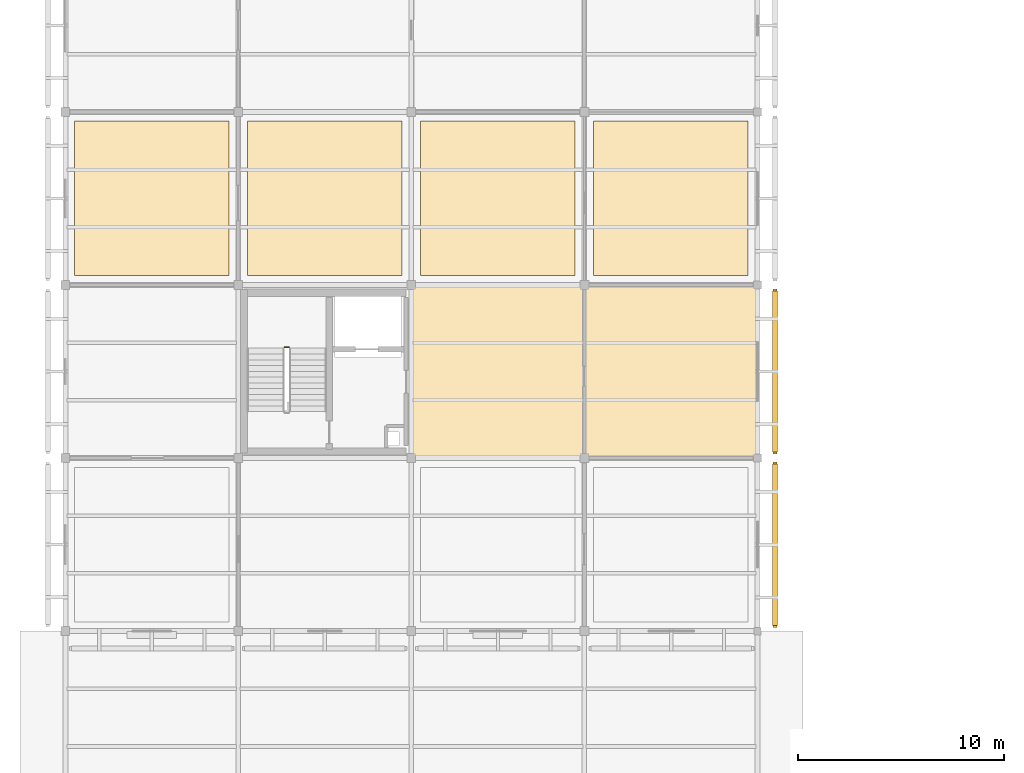
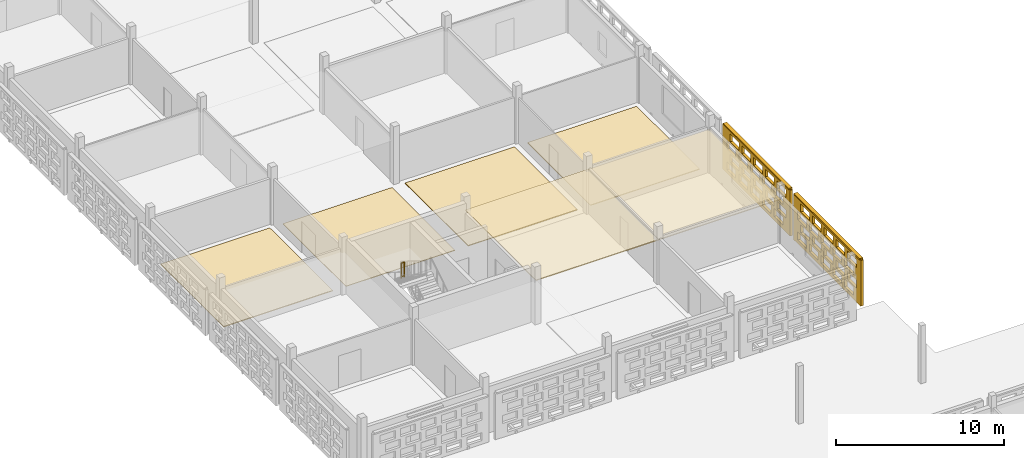
# One storey, part 88 of 103: 8 coverings, 2 shading devices, 1 railing, 40 openings.
"""IFC4 building model written with IfcOpenShell, lengths in metres."""

from ifc_helpers import new_model, si_unit, direction, frame, frame_2d, origin, origin_2d, place, context, subcontext, project, spatial, rectangle, circle, extrude, material, layer, layer_set, type_object, element, save


model = new_model("IFC4")

# Units and contexts
model_context = context("Model", 3, precision=1e-05, world=origin(), true_north=direction((0.0, 1.0)))
body_context = subcontext(model_context, "Body", "Model", "MODEL_VIEW")
ifc_project = project(units=[si_unit("LENGTHUNIT", "METRE"), si_unit("AREAUNIT", "SQUARE_METRE"), si_unit("VOLUMEUNIT", "CUBIC_METRE"), si_unit("PLANEANGLEUNIT", "RADIAN"), si_unit("MASSUNIT", "GRAM", prefix="KILO")], contexts=[model_context])

# Site, building, storey
site_placement = place(None, origin())
site = spatial("IfcSite", under=ifc_project, at=site_placement, CompositionType="ELEMENT")
building_placement = place(site_placement, origin())
building = spatial("IfcBuilding", under=site, at=building_placement, Name="Varnapada Polytechnic", CompositionType="ELEMENT")
storey_placement = place(building_placement, frame((0.0, 0.0, 18.0)))
storey = spatial("IfcBuildingStorey", under=building, at=storey_placement, Name="L04", CompositionType="ELEMENT", Elevation=18.0)

# Coverings
ifc_material_1 = material(Name="End-Grain Timber Studio Block Flooring", Category="wood")
ifc_layer_1 = layer(ifc_material_1, 0.054931640625)
ifc_layer_set_1 = layer_set([ifc_layer_1], Name="End-Grain Timber Studio Block Flooring")
covering_type_1 = type_object("IfcCoveringType", Name="Floor Finish FLR-04", PredefinedType="FLOORING", material=ifc_layer_set_1)
for number, where, z_axis, x_axis, name in (
    (1, (4.199951171875, 71.39990234375, 0.0), (0.0, 0.0, 1.0), (1.0, 0.0, 0.0), "L04 floor finish panel (1,9)"),
    (2, (21.0, 71.39990234375, 0.0), (0.0, 0.0, 1.0), (1.0, 0.0, 0.0), "L04 floor finish panel (3,9)"),
    (3, (29.39990234375, 71.39990234375, 0.0), (0.0, 0.0, 1.0), (1.0, 0.0, 0.0), "L04 floor finish panel (4,9)"),
):
    element("IfcCovering", number, at=place(storey_placement, frame(where, z_axis=z_axis, x_axis=x_axis)), inside=storey, type_object=covering_type_1, Name=name, PredefinedType="FLOORING", context=body_context, shape_type="SweptSolid", body=[
        extrude(rectangle(XDim=7.5, YDim=7.5, at=origin_2d()), origin(), (0.0, 0.0, 1.0), 0.054931640625),
    ])
ifc_material_2 = material(Name="Acoustic Rubber Seminar Flooring")
ifc_layer_2 = layer(ifc_material_2, 0.0400390625)
ifc_layer_set_2 = layer_set([ifc_layer_2], Name="Acoustic Rubber Seminar Flooring")
covering_type_2 = type_object("IfcCoveringType", Name="Floor Finish FLR-06", PredefinedType="FLOORING", material=ifc_layer_set_2)
covering_1_placement = place(storey_placement, frame((12.60009765625, 71.39990234375, 0.0), z_axis=(0.0, 0.0, 1.0), x_axis=(1.0, 0.0, 0.0)))
element("IfcCovering", 4, at=covering_1_placement, inside=storey, type_object=covering_type_2, Name="L04 floor finish panel (2,9)", PredefinedType="FLOORING", context=body_context, shape_type="SweptSolid", body=[
    extrude(rectangle(XDim=7.5, YDim=7.5, at=origin_2d()), origin(), (0.0, 0.0, 1.0), 0.0400390625),
])

# Railing
ifc_material_3 = material(Name="Brushed Stainless Steel 316", Category="steel")
railing_type = type_object("IfcRailingType", Name="Stair Well Guard Rail SGR-01", PredefinedType="BALUSTRADE", material=ifc_material_3)
railing_placement = place(storey_placement, frame((10.85009765625, 64.179931640625, 2.10009765625)))
element("IfcRailing", 5, at=railing_placement, inside=storey, type_object=railing_type, Name="L04 ST-2 stair guard 2", PredefinedType="BALUSTRADE", context=body_context, shape_type="SweptSolid", body=[
    extrude(circle(Radius=0.02392578125, at=origin_2d()), frame((0.0, 0.0, 1.09619140625), z_axis=(-1.0, 0.0, 0.0), x_axis=(0.0, -1.0, 0.0)), (0.0, 0.0, 1.0), 0.2001953125),
    extrude(circle(Radius=0.02392578125, at=origin_2d()), frame((0.0, 0.0, 0.10009765625), z_axis=(-1.0, 0.0, 0.0), x_axis=(0.0, -1.0, 0.0)), (0.0, 0.0, 1.0), 0.2001953125),
    extrude(circle(Radius=0.02099609375, at=origin_2d()), origin(), (0.0, 0.0, 1.0), 1.072021484375),
    extrude(circle(Radius=0.02099609375, at=origin_2d()), frame((-0.2001953125, 0.0, 0.0)), (0.0, 0.0, 1.0), 1.072021484375),
])

# Coverings
ifc_material_4 = material(Name="Slatted Merbau Timber Acoustic Ceiling", Category="wood")
ifc_layer_3 = layer(ifc_material_4, 0.054931640625)
ifc_layer_set_3 = layer_set([ifc_layer_3], Name="Slatted Merbau Timber Acoustic Ceiling")
covering_type_3 = type_object("IfcCoveringType", Name="Suspended Ceiling CLG-05", PredefinedType="CEILING", material=ifc_layer_set_3)
covering_2_placement = place(storey_placement, frame((29.39990234375, 63.0, 3.0224609375), z_axis=(0.0, 0.0, 1.0), x_axis=(1.0, 0.0, 0.0)))
element("IfcCovering", 6, at=covering_2_placement, inside=storey, type_object=covering_type_3, Name="L04 suspended acoustic ceiling (4,8)", PredefinedType="CEILING", context=body_context, shape_type="SweptSolid", body=[
    extrude(rectangle(XDim=8.419921875, YDim=8.419921875, at=origin_2d()), origin(), (0.0, 0.0, 1.0), 0.054931640625),
])
ifc_material_5 = material(Name="Deep Acoustic Auditorium Cloud Baffle")
ifc_layer_4 = layer(ifc_material_5, 0.06494140625)
ifc_layer_set_4 = layer_set([ifc_layer_4], Name="Deep Acoustic Auditorium Cloud Baffle")
covering_type_4 = type_object("IfcCoveringType", Name="Suspended Ceiling CLG-07", PredefinedType="CEILING", material=ifc_layer_set_4)
covering_3_placement = place(storey_placement, frame((21.0, 63.0, 3.017578125), z_axis=(0.0, 0.0, 1.0), x_axis=(1.0, 0.0, 0.0)))
element("IfcCovering", 7, at=covering_3_placement, inside=storey, type_object=covering_type_4, Name="L04 suspended acoustic ceiling (3,8)", PredefinedType="CEILING", context=body_context, shape_type="SweptSolid", body=[
    extrude(rectangle(XDim=8.419921875, YDim=8.419921875, at=origin_2d()), origin(), (0.0, 0.0, 1.0), 0.06494140625),
])

# Covering, openings
ifc_material_6 = material(Name="Earth-toned architectural terracotta screen block", Category="masonry")
ifc_layer_5 = layer(ifc_material_6, 0.1201171875)
ifc_layer_set_5 = layer_set([ifc_layer_5], Name="Earth-toned architectural terracotta screen block")
covering_type_5 = type_object("IfcCoveringType", Name="Terracotta Screen Cladding CLD-01", PredefinedType="CLADDING", material=ifc_layer_set_5)
covering_4_placement = place(storey_placement, frame((34.449951171875, 58.610107421875, 0.0), z_axis=(0.0, 0.0, 1.0), x_axis=(0.0, -1.0, 0.0)))
covering_4 = element("IfcCovering", 8, at=covering_4_placement, inside=storey, type_object=covering_type_5, Name="L04 perforated terracotta block screen (24)", PredefinedType="CLADDING", context=body_context, shape_type="SweptSolid", body=[
    extrude(rectangle(XDim=8.030029296875, YDim=0.179931640625, at=frame_2d((4.01513671875, 0.0))), origin(), (0.0, 0.0, 1.0), 3.320068359375),
])
opening_1_placement = place(covering_4_placement, frame((0.514892578125, 0.0, 0.265625)))
element("IfcOpeningElement", 9, at=opening_1_placement, cuts=covering_4, Name="Screen perforation TBS-L04-023.1", PredefinedType="OPENING", context=body_context, shape_type="SweptSolid", body=[
    extrude(rectangle(XDim=1.0400390625, YDim=0.5810546875, at=frame_2d((0.52001953125, 0.29052734375))), frame((0.0, 0.099853515625, 0.0), z_axis=(0.0, -1.0, 0.0), x_axis=(1.0, 0.0, 0.0)), (0.0, 0.0, 1.0), 0.199951171875),
])
opening_2_placement = place(covering_4_placement, frame((1.9150390625, 0.0, 0.265625)))
element("IfcOpeningElement", 10, at=opening_2_placement, cuts=covering_4, Name="Screen perforation TBS-L04-023.2", PredefinedType="OPENING", context=body_context, shape_type="SweptSolid", body=[
    extrude(rectangle(XDim=1.0400390625, YDim=0.5810546875, at=frame_2d((0.52001953125, 0.29052734375))), frame((0.0, 0.099853515625, 0.0), z_axis=(0.0, -1.0, 0.0), x_axis=(1.0, 0.0, 0.0)), (0.0, 0.0, 1.0), 0.199951171875),
])
opening_3_placement = place(covering_4_placement, frame((3.31494140625, 0.0, 0.265625)))
element("IfcOpeningElement", 11, at=opening_3_placement, cuts=covering_4, Name="Screen perforation TBS-L04-023.3", PredefinedType="OPENING", context=body_context, shape_type="SweptSolid", body=[
    extrude(rectangle(XDim=1.0400390625, YDim=0.5810546875, at=frame_2d((0.52001953125, 0.29052734375))), frame((0.0, 0.099853515625, 0.0), z_axis=(0.0, -1.0, 0.0), x_axis=(1.0, 0.0, 0.0)), (0.0, 0.0, 1.0), 0.199951171875),
])
opening_4_placement = place(covering_4_placement, frame((4.715087890625, 0.0, 0.265625)))
element("IfcOpeningElement", 12, at=opening_4_placement, cuts=covering_4, Name="Screen perforation TBS-L04-023.4", PredefinedType="OPENING", context=body_context, shape_type="SweptSolid", body=[
    extrude(rectangle(XDim=1.0400390625, YDim=0.5810546875, at=frame_2d((0.52001953125, 0.29052734375))), frame((0.0, 0.099853515625, 0.0), z_axis=(0.0, -1.0, 0.0), x_axis=(1.0, 0.0, 0.0)), (0.0, 0.0, 1.0), 0.199951171875),
])
opening_5_placement = place(covering_4_placement, frame((6.114990234375, 0.0, 0.265625)))
element("IfcOpeningElement", 13, at=opening_5_placement, cuts=covering_4, Name="Screen perforation TBS-L04-023.5", PredefinedType="OPENING", context=body_context, shape_type="SweptSolid", body=[
    extrude(rectangle(XDim=1.0400390625, YDim=0.5810546875, at=frame_2d((0.52001953125, 0.29052734375))), frame((0.0, 0.099853515625, 0.0), z_axis=(0.0, -1.0, 0.0), x_axis=(1.0, 0.0, 0.0)), (0.0, 0.0, 1.0), 0.199951171875),
])
opening_6_placement = place(covering_4_placement, frame((0.875, 0.0, 1.0126953125)))
element("IfcOpeningElement", 14, at=opening_6_placement, cuts=covering_4, Name="Screen perforation TBS-L04-023.6", PredefinedType="OPENING", context=body_context, shape_type="SweptSolid", body=[
    extrude(rectangle(XDim=1.0400390625, YDim=0.5810546875, at=frame_2d((0.52001953125, 0.29052734375))), frame((0.0, 0.099853515625, 0.0), z_axis=(0.0, -1.0, 0.0), x_axis=(1.0, 0.0, 0.0)), (0.0, 0.0, 1.0), 0.199951171875),
])
opening_7_placement = place(covering_4_placement, frame((2.27490234375, 0.0, 1.0126953125)))
element("IfcOpeningElement", 15, at=opening_7_placement, cuts=covering_4, Name="Screen perforation TBS-L04-023.7", PredefinedType="OPENING", context=body_context, shape_type="SweptSolid", body=[
    extrude(rectangle(XDim=1.0400390625, YDim=0.5810546875, at=frame_2d((0.52001953125, 0.29052734375))), frame((0.0, 0.099853515625, 0.0), z_axis=(0.0, -1.0, 0.0), x_axis=(1.0, 0.0, 0.0)), (0.0, 0.0, 1.0), 0.199951171875),
])
opening_8_placement = place(covering_4_placement, frame((3.675048828125, 0.0, 1.0126953125)))
element("IfcOpeningElement", 16, at=opening_8_placement, cuts=covering_4, Name="Screen perforation TBS-L04-023.8", PredefinedType="OPENING", context=body_context, shape_type="SweptSolid", body=[
    extrude(rectangle(XDim=1.0400390625, YDim=0.5810546875, at=frame_2d((0.52001953125, 0.29052734375))), frame((0.0, 0.099853515625, 0.0), z_axis=(0.0, -1.0, 0.0), x_axis=(1.0, 0.0, 0.0)), (0.0, 0.0, 1.0), 0.199951171875),
])
opening_9_placement = place(covering_4_placement, frame((5.074951171875, 0.0, 1.0126953125)))
element("IfcOpeningElement", 17, at=opening_9_placement, cuts=covering_4, Name="Screen perforation TBS-L04-023.9", PredefinedType="OPENING", context=body_context, shape_type="SweptSolid", body=[
    extrude(rectangle(XDim=1.0400390625, YDim=0.5810546875, at=frame_2d((0.52001953125, 0.29052734375))), frame((0.0, 0.099853515625, 0.0), z_axis=(0.0, -1.0, 0.0), x_axis=(1.0, 0.0, 0.0)), (0.0, 0.0, 1.0), 0.199951171875),
])
opening_10_placement = place(covering_4_placement, frame((6.47509765625, 0.0, 1.0126953125)))
element("IfcOpeningElement", 18, at=opening_10_placement, cuts=covering_4, Name="Screen perforation TBS-L04-023.10", PredefinedType="OPENING", context=body_context, shape_type="SweptSolid", body=[
    extrude(rectangle(XDim=1.0400390625, YDim=0.5810546875, at=frame_2d((0.52001953125, 0.29052734375))), frame((0.0, 0.099853515625, 0.0), z_axis=(0.0, -1.0, 0.0), x_axis=(1.0, 0.0, 0.0)), (0.0, 0.0, 1.0), 0.199951171875),
])
opening_11_placement = place(covering_4_placement, frame((0.514892578125, 0.0, 1.759521484375)))
element("IfcOpeningElement", 19, at=opening_11_placement, cuts=covering_4, Name="Screen perforation TBS-L04-023.11", PredefinedType="OPENING", context=body_context, shape_type="SweptSolid", body=[
    extrude(rectangle(XDim=1.0400390625, YDim=0.5810546875, at=frame_2d((0.52001953125, 0.29052734375))), frame((0.0, 0.099853515625, 0.0), z_axis=(0.0, -1.0, 0.0), x_axis=(1.0, 0.0, 0.0)), (0.0, 0.0, 1.0), 0.199951171875),
])
opening_12_placement = place(covering_4_placement, frame((1.9150390625, 0.0, 1.759521484375)))
element("IfcOpeningElement", 20, at=opening_12_placement, cuts=covering_4, Name="Screen perforation TBS-L04-023.12", PredefinedType="OPENING", context=body_context, shape_type="SweptSolid", body=[
    extrude(rectangle(XDim=1.0400390625, YDim=0.5810546875, at=frame_2d((0.52001953125, 0.29052734375))), frame((0.0, 0.099853515625, 0.0), z_axis=(0.0, -1.0, 0.0), x_axis=(1.0, 0.0, 0.0)), (0.0, 0.0, 1.0), 0.199951171875),
])
opening_13_placement = place(covering_4_placement, frame((3.31494140625, 0.0, 1.759521484375)))
element("IfcOpeningElement", 21, at=opening_13_placement, cuts=covering_4, Name="Screen perforation TBS-L04-023.13", PredefinedType="OPENING", context=body_context, shape_type="SweptSolid", body=[
    extrude(rectangle(XDim=1.0400390625, YDim=0.5810546875, at=frame_2d((0.52001953125, 0.29052734375))), frame((0.0, 0.099853515625, 0.0), z_axis=(0.0, -1.0, 0.0), x_axis=(1.0, 0.0, 0.0)), (0.0, 0.0, 1.0), 0.199951171875),
])
opening_14_placement = place(covering_4_placement, frame((4.715087890625, 0.0, 1.759521484375)))
element("IfcOpeningElement", 22, at=opening_14_placement, cuts=covering_4, Name="Screen perforation TBS-L04-023.14", PredefinedType="OPENING", context=body_context, shape_type="SweptSolid", body=[
    extrude(rectangle(XDim=1.0400390625, YDim=0.5810546875, at=frame_2d((0.52001953125, 0.29052734375))), frame((0.0, 0.099853515625, 0.0), z_axis=(0.0, -1.0, 0.0), x_axis=(1.0, 0.0, 0.0)), (0.0, 0.0, 1.0), 0.199951171875),
])
opening_15_placement = place(covering_4_placement, frame((6.114990234375, 0.0, 1.759521484375)))
element("IfcOpeningElement", 23, at=opening_15_placement, cuts=covering_4, Name="Screen perforation TBS-L04-023.15", PredefinedType="OPENING", context=body_context, shape_type="SweptSolid", body=[
    extrude(rectangle(XDim=1.0400390625, YDim=0.5810546875, at=frame_2d((0.52001953125, 0.29052734375))), frame((0.0, 0.099853515625, 0.0), z_axis=(0.0, -1.0, 0.0), x_axis=(1.0, 0.0, 0.0)), (0.0, 0.0, 1.0), 0.199951171875),
])
opening_16_placement = place(covering_4_placement, frame((0.875, 0.0, 2.506591796875)))
element("IfcOpeningElement", 24, at=opening_16_placement, cuts=covering_4, Name="Screen perforation TBS-L04-023.16", PredefinedType="OPENING", context=body_context, shape_type="SweptSolid", body=[
    extrude(rectangle(XDim=1.0400390625, YDim=0.5810546875, at=frame_2d((0.52001953125, 0.29052734375))), frame((0.0, 0.099853515625, 0.0), z_axis=(0.0, -1.0, 0.0), x_axis=(1.0, 0.0, 0.0)), (0.0, 0.0, 1.0), 0.199951171875),
])
opening_17_placement = place(covering_4_placement, frame((2.27490234375, 0.0, 2.506591796875)))
element("IfcOpeningElement", 25, at=opening_17_placement, cuts=covering_4, Name="Screen perforation TBS-L04-023.17", PredefinedType="OPENING", context=body_context, shape_type="SweptSolid", body=[
    extrude(rectangle(XDim=1.0400390625, YDim=0.5810546875, at=frame_2d((0.52001953125, 0.29052734375))), frame((0.0, 0.099853515625, 0.0), z_axis=(0.0, -1.0, 0.0), x_axis=(1.0, 0.0, 0.0)), (0.0, 0.0, 1.0), 0.199951171875),
])
opening_18_placement = place(covering_4_placement, frame((3.675048828125, 0.0, 2.506591796875)))
element("IfcOpeningElement", 26, at=opening_18_placement, cuts=covering_4, Name="Screen perforation TBS-L04-023.18", PredefinedType="OPENING", context=body_context, shape_type="SweptSolid", body=[
    extrude(rectangle(XDim=1.0400390625, YDim=0.5810546875, at=frame_2d((0.52001953125, 0.29052734375))), frame((0.0, 0.099853515625, 0.0), z_axis=(0.0, -1.0, 0.0), x_axis=(1.0, 0.0, 0.0)), (0.0, 0.0, 1.0), 0.199951171875),
])
opening_19_placement = place(covering_4_placement, frame((5.074951171875, 0.0, 2.506591796875)))
element("IfcOpeningElement", 27, at=opening_19_placement, cuts=covering_4, Name="Screen perforation TBS-L04-023.19", PredefinedType="OPENING", context=body_context, shape_type="SweptSolid", body=[
    extrude(rectangle(XDim=1.0400390625, YDim=0.5810546875, at=frame_2d((0.52001953125, 0.29052734375))), frame((0.0, 0.099853515625, 0.0), z_axis=(0.0, -1.0, 0.0), x_axis=(1.0, 0.0, 0.0)), (0.0, 0.0, 1.0), 0.199951171875),
])
opening_20_placement = place(covering_4_placement, frame((6.47509765625, 0.0, 2.506591796875)))
element("IfcOpeningElement", 28, at=opening_20_placement, cuts=covering_4, Name="Screen perforation TBS-L04-023.20", PredefinedType="OPENING", context=body_context, shape_type="SweptSolid", body=[
    extrude(rectangle(XDim=1.0400390625, YDim=0.5810546875, at=frame_2d((0.52001953125, 0.29052734375))), frame((0.0, 0.099853515625, 0.0), z_axis=(0.0, -1.0, 0.0), x_axis=(1.0, 0.0, 0.0)), (0.0, 0.0, 1.0), 0.199951171875),
])

covering_5_placement = place(storey_placement, frame((34.449951171875, 67.010009765625, 0.0), z_axis=(0.0, 0.0, 1.0), x_axis=(0.0, -1.0, 0.0)))
covering_5 = element("IfcCovering", 29, at=covering_5_placement, inside=storey, type_object=covering_type_5, Name="L04 perforated terracotta block screen (25)", PredefinedType="CLADDING", context=body_context, shape_type="SweptSolid", body=[
    extrude(rectangle(XDim=8.02001953125, YDim=0.179931640625, at=frame_2d((4.010009765625, 0.0))), origin(), (0.0, 0.0, 1.0), 3.320068359375),
])
opening_21_placement = place(covering_5_placement, frame((0.510009765625, 0.0, 0.265625)))
element("IfcOpeningElement", 30, at=opening_21_placement, cuts=covering_5, Name="Screen perforation TBS-L04-024.1", PredefinedType="OPENING", context=body_context, shape_type="SweptSolid", body=[
    extrude(rectangle(XDim=1.0400390625, YDim=0.5810546875, at=frame_2d((0.52001953125, 0.29052734375))), frame((0.0, 0.099853515625, 0.0), z_axis=(0.0, -1.0, 0.0), x_axis=(1.0, 0.0, 0.0)), (0.0, 0.0, 1.0), 0.199951171875),
])
opening_22_placement = place(covering_5_placement, frame((1.909912109375, 0.0, 0.265625)))
element("IfcOpeningElement", 31, at=opening_22_placement, cuts=covering_5, Name="Screen perforation TBS-L04-024.2", PredefinedType="OPENING", context=body_context, shape_type="SweptSolid", body=[
    extrude(rectangle(XDim=1.0400390625, YDim=0.5810546875, at=frame_2d((0.52001953125, 0.29052734375))), frame((0.0, 0.099853515625, 0.0), z_axis=(0.0, -1.0, 0.0), x_axis=(1.0, 0.0, 0.0)), (0.0, 0.0, 1.0), 0.199951171875),
])
opening_23_placement = place(covering_5_placement, frame((3.31005859375, 0.0, 0.265625)))
element("IfcOpeningElement", 32, at=opening_23_placement, cuts=covering_5, Name="Screen perforation TBS-L04-024.3", PredefinedType="OPENING", context=body_context, shape_type="SweptSolid", body=[
    extrude(rectangle(XDim=1.0400390625, YDim=0.5810546875, at=frame_2d((0.52001953125, 0.29052734375))), frame((0.0, 0.099853515625, 0.0), z_axis=(0.0, -1.0, 0.0), x_axis=(1.0, 0.0, 0.0)), (0.0, 0.0, 1.0), 0.199951171875),
])
opening_24_placement = place(covering_5_placement, frame((4.7099609375, 0.0, 0.265625)))
element("IfcOpeningElement", 33, at=opening_24_placement, cuts=covering_5, Name="Screen perforation TBS-L04-024.4", PredefinedType="OPENING", context=body_context, shape_type="SweptSolid", body=[
    extrude(rectangle(XDim=1.0400390625, YDim=0.5810546875, at=frame_2d((0.52001953125, 0.29052734375))), frame((0.0, 0.099853515625, 0.0), z_axis=(0.0, -1.0, 0.0), x_axis=(1.0, 0.0, 0.0)), (0.0, 0.0, 1.0), 0.199951171875),
])
opening_25_placement = place(covering_5_placement, frame((6.110107421875, 0.0, 0.265625)))
element("IfcOpeningElement", 34, at=opening_25_placement, cuts=covering_5, Name="Screen perforation TBS-L04-024.5", PredefinedType="OPENING", context=body_context, shape_type="SweptSolid", body=[
    extrude(rectangle(XDim=1.0400390625, YDim=0.5810546875, at=frame_2d((0.52001953125, 0.29052734375))), frame((0.0, 0.099853515625, 0.0), z_axis=(0.0, -1.0, 0.0), x_axis=(1.0, 0.0, 0.0)), (0.0, 0.0, 1.0), 0.199951171875),
])
opening_26_placement = place(covering_5_placement, frame((0.8701171875, 0.0, 1.0126953125)))
element("IfcOpeningElement", 35, at=opening_26_placement, cuts=covering_5, Name="Screen perforation TBS-L04-024.6", PredefinedType="OPENING", context=body_context, shape_type="SweptSolid", body=[
    extrude(rectangle(XDim=1.0400390625, YDim=0.5810546875, at=frame_2d((0.52001953125, 0.29052734375))), frame((0.0, 0.099853515625, 0.0), z_axis=(0.0, -1.0, 0.0), x_axis=(1.0, 0.0, 0.0)), (0.0, 0.0, 1.0), 0.199951171875),
])
opening_27_placement = place(covering_5_placement, frame((2.27001953125, 0.0, 1.0126953125)))
element("IfcOpeningElement", 36, at=opening_27_placement, cuts=covering_5, Name="Screen perforation TBS-L04-024.7", PredefinedType="OPENING", context=body_context, shape_type="SweptSolid", body=[
    extrude(rectangle(XDim=1.0400390625, YDim=0.5810546875, at=frame_2d((0.52001953125, 0.29052734375))), frame((0.0, 0.099853515625, 0.0), z_axis=(0.0, -1.0, 0.0), x_axis=(1.0, 0.0, 0.0)), (0.0, 0.0, 1.0), 0.199951171875),
])
opening_28_placement = place(covering_5_placement, frame((3.669921875, 0.0, 1.0126953125)))
element("IfcOpeningElement", 37, at=opening_28_placement, cuts=covering_5, Name="Screen perforation TBS-L04-024.8", PredefinedType="OPENING", context=body_context, shape_type="SweptSolid", body=[
    extrude(rectangle(XDim=1.0400390625, YDim=0.5810546875, at=frame_2d((0.52001953125, 0.29052734375))), frame((0.0, 0.099853515625, 0.0), z_axis=(0.0, -1.0, 0.0), x_axis=(1.0, 0.0, 0.0)), (0.0, 0.0, 1.0), 0.199951171875),
])
opening_29_placement = place(covering_5_placement, frame((5.070068359375, 0.0, 1.0126953125)))
element("IfcOpeningElement", 38, at=opening_29_placement, cuts=covering_5, Name="Screen perforation TBS-L04-024.9", PredefinedType="OPENING", context=body_context, shape_type="SweptSolid", body=[
    extrude(rectangle(XDim=1.0400390625, YDim=0.5810546875, at=frame_2d((0.52001953125, 0.29052734375))), frame((0.0, 0.099853515625, 0.0), z_axis=(0.0, -1.0, 0.0), x_axis=(1.0, 0.0, 0.0)), (0.0, 0.0, 1.0), 0.199951171875),
])
opening_30_placement = place(covering_5_placement, frame((6.469970703125, 0.0, 1.0126953125)))
element("IfcOpeningElement", 39, at=opening_30_placement, cuts=covering_5, Name="Screen perforation TBS-L04-024.10", PredefinedType="OPENING", context=body_context, shape_type="SweptSolid", body=[
    extrude(rectangle(XDim=1.0400390625, YDim=0.5810546875, at=frame_2d((0.52001953125, 0.29052734375))), frame((0.0, 0.099853515625, 0.0), z_axis=(0.0, -1.0, 0.0), x_axis=(1.0, 0.0, 0.0)), (0.0, 0.0, 1.0), 0.199951171875),
])
opening_31_placement = place(covering_5_placement, frame((0.510009765625, 0.0, 1.759521484375)))
element("IfcOpeningElement", 40, at=opening_31_placement, cuts=covering_5, Name="Screen perforation TBS-L04-024.11", PredefinedType="OPENING", context=body_context, shape_type="SweptSolid", body=[
    extrude(rectangle(XDim=1.0400390625, YDim=0.5810546875, at=frame_2d((0.52001953125, 0.29052734375))), frame((0.0, 0.099853515625, 0.0), z_axis=(0.0, -1.0, 0.0), x_axis=(1.0, 0.0, 0.0)), (0.0, 0.0, 1.0), 0.199951171875),
])
opening_32_placement = place(covering_5_placement, frame((1.909912109375, 0.0, 1.759521484375)))
element("IfcOpeningElement", 41, at=opening_32_placement, cuts=covering_5, Name="Screen perforation TBS-L04-024.12", PredefinedType="OPENING", context=body_context, shape_type="SweptSolid", body=[
    extrude(rectangle(XDim=1.0400390625, YDim=0.5810546875, at=frame_2d((0.52001953125, 0.29052734375))), frame((0.0, 0.099853515625, 0.0), z_axis=(0.0, -1.0, 0.0), x_axis=(1.0, 0.0, 0.0)), (0.0, 0.0, 1.0), 0.199951171875),
])
opening_33_placement = place(covering_5_placement, frame((3.31005859375, 0.0, 1.759521484375)))
element("IfcOpeningElement", 42, at=opening_33_placement, cuts=covering_5, Name="Screen perforation TBS-L04-024.13", PredefinedType="OPENING", context=body_context, shape_type="SweptSolid", body=[
    extrude(rectangle(XDim=1.0400390625, YDim=0.5810546875, at=frame_2d((0.52001953125, 0.29052734375))), frame((0.0, 0.099853515625, 0.0), z_axis=(0.0, -1.0, 0.0), x_axis=(1.0, 0.0, 0.0)), (0.0, 0.0, 1.0), 0.199951171875),
])
opening_34_placement = place(covering_5_placement, frame((4.7099609375, 0.0, 1.759521484375)))
element("IfcOpeningElement", 43, at=opening_34_placement, cuts=covering_5, Name="Screen perforation TBS-L04-024.14", PredefinedType="OPENING", context=body_context, shape_type="SweptSolid", body=[
    extrude(rectangle(XDim=1.0400390625, YDim=0.5810546875, at=frame_2d((0.52001953125, 0.29052734375))), frame((0.0, 0.099853515625, 0.0), z_axis=(0.0, -1.0, 0.0), x_axis=(1.0, 0.0, 0.0)), (0.0, 0.0, 1.0), 0.199951171875),
])
opening_35_placement = place(covering_5_placement, frame((6.110107421875, 0.0, 1.759521484375)))
element("IfcOpeningElement", 44, at=opening_35_placement, cuts=covering_5, Name="Screen perforation TBS-L04-024.15", PredefinedType="OPENING", context=body_context, shape_type="SweptSolid", body=[
    extrude(rectangle(XDim=1.0400390625, YDim=0.5810546875, at=frame_2d((0.52001953125, 0.29052734375))), frame((0.0, 0.099853515625, 0.0), z_axis=(0.0, -1.0, 0.0), x_axis=(1.0, 0.0, 0.0)), (0.0, 0.0, 1.0), 0.199951171875),
])
opening_36_placement = place(covering_5_placement, frame((0.8701171875, 0.0, 2.506591796875)))
element("IfcOpeningElement", 45, at=opening_36_placement, cuts=covering_5, Name="Screen perforation TBS-L04-024.16", PredefinedType="OPENING", context=body_context, shape_type="SweptSolid", body=[
    extrude(rectangle(XDim=1.0400390625, YDim=0.5810546875, at=frame_2d((0.52001953125, 0.29052734375))), frame((0.0, 0.099853515625, 0.0), z_axis=(0.0, -1.0, 0.0), x_axis=(1.0, 0.0, 0.0)), (0.0, 0.0, 1.0), 0.199951171875),
])
opening_37_placement = place(covering_5_placement, frame((2.27001953125, 0.0, 2.506591796875)))
element("IfcOpeningElement", 46, at=opening_37_placement, cuts=covering_5, Name="Screen perforation TBS-L04-024.17", PredefinedType="OPENING", context=body_context, shape_type="SweptSolid", body=[
    extrude(rectangle(XDim=1.0400390625, YDim=0.5810546875, at=frame_2d((0.52001953125, 0.29052734375))), frame((0.0, 0.099853515625, 0.0), z_axis=(0.0, -1.0, 0.0), x_axis=(1.0, 0.0, 0.0)), (0.0, 0.0, 1.0), 0.199951171875),
])
opening_38_placement = place(covering_5_placement, frame((3.669921875, 0.0, 2.506591796875)))
element("IfcOpeningElement", 47, at=opening_38_placement, cuts=covering_5, Name="Screen perforation TBS-L04-024.18", PredefinedType="OPENING", context=body_context, shape_type="SweptSolid", body=[
    extrude(rectangle(XDim=1.0400390625, YDim=0.5810546875, at=frame_2d((0.52001953125, 0.29052734375))), frame((0.0, 0.099853515625, 0.0), z_axis=(0.0, -1.0, 0.0), x_axis=(1.0, 0.0, 0.0)), (0.0, 0.0, 1.0), 0.199951171875),
])
opening_39_placement = place(covering_5_placement, frame((5.070068359375, 0.0, 2.506591796875)))
element("IfcOpeningElement", 48, at=opening_39_placement, cuts=covering_5, Name="Screen perforation TBS-L04-024.19", PredefinedType="OPENING", context=body_context, shape_type="SweptSolid", body=[
    extrude(rectangle(XDim=1.0400390625, YDim=0.5810546875, at=frame_2d((0.52001953125, 0.29052734375))), frame((0.0, 0.099853515625, 0.0), z_axis=(0.0, -1.0, 0.0), x_axis=(1.0, 0.0, 0.0)), (0.0, 0.0, 1.0), 0.199951171875),
])
opening_40_placement = place(covering_5_placement, frame((6.469970703125, 0.0, 2.506591796875)))
element("IfcOpeningElement", 49, at=opening_40_placement, cuts=covering_5, Name="Screen perforation TBS-L04-024.20", PredefinedType="OPENING", context=body_context, shape_type="SweptSolid", body=[
    extrude(rectangle(XDim=1.0400390625, YDim=0.5810546875, at=frame_2d((0.52001953125, 0.29052734375))), frame((0.0, 0.099853515625, 0.0), z_axis=(0.0, -1.0, 0.0), x_axis=(1.0, 0.0, 0.0)), (0.0, 0.0, 1.0), 0.199951171875),
])

# Shading devices
ifc_layer_6 = layer(ifc_material_6, 0.179931640625)
ifc_layer_set_6 = layer_set([ifc_layer_6], Name="Earth-toned architectural terracotta screen block")
shading_device_type = type_object("IfcShadingDeviceType", Name="Terracotta Screen SCR-01", PredefinedType="USERDEFINED", material=ifc_layer_set_6)
shading_device_1_placement = place(storey_placement, frame((34.449951171875, 54.594970703125, 3.31005859375), z_axis=(0.0, 0.0, 1.0), x_axis=(0.0, -1.0, 0.0)))
element("IfcShadingDevice", 50, at=shading_device_1_placement, inside=storey, type_object=shading_device_type, Name="L04 perforated terracotta screen hood 443", ObjectType="SCREEN", PredefinedType="USERDEFINED", context=body_context, shape_type="SweptSolid", body=[
    extrude(rectangle(XDim=7.830078125, YDim=0.239990234375, at=origin_2d()), origin(), (0.0, 0.0, 1.0), 0.10009765625),
])
shading_device_2_placement = place(storey_placement, frame((34.449951171875, 63.0, 3.31005859375), z_axis=(0.0, 0.0, 1.0), x_axis=(0.0, -1.0, 0.0)))
element("IfcShadingDevice", 51, at=shading_device_2_placement, inside=storey, type_object=shading_device_type, Name="L04 perforated terracotta screen hood 444", ObjectType="SCREEN", PredefinedType="USERDEFINED", context=body_context, shape_type="SweptSolid", body=[
    extrude(rectangle(XDim=7.820068359375, YDim=0.239990234375, at=origin_2d()), origin(), (0.0, 0.0, 1.0), 0.10009765625),
])

save(model, "model.ifc")
